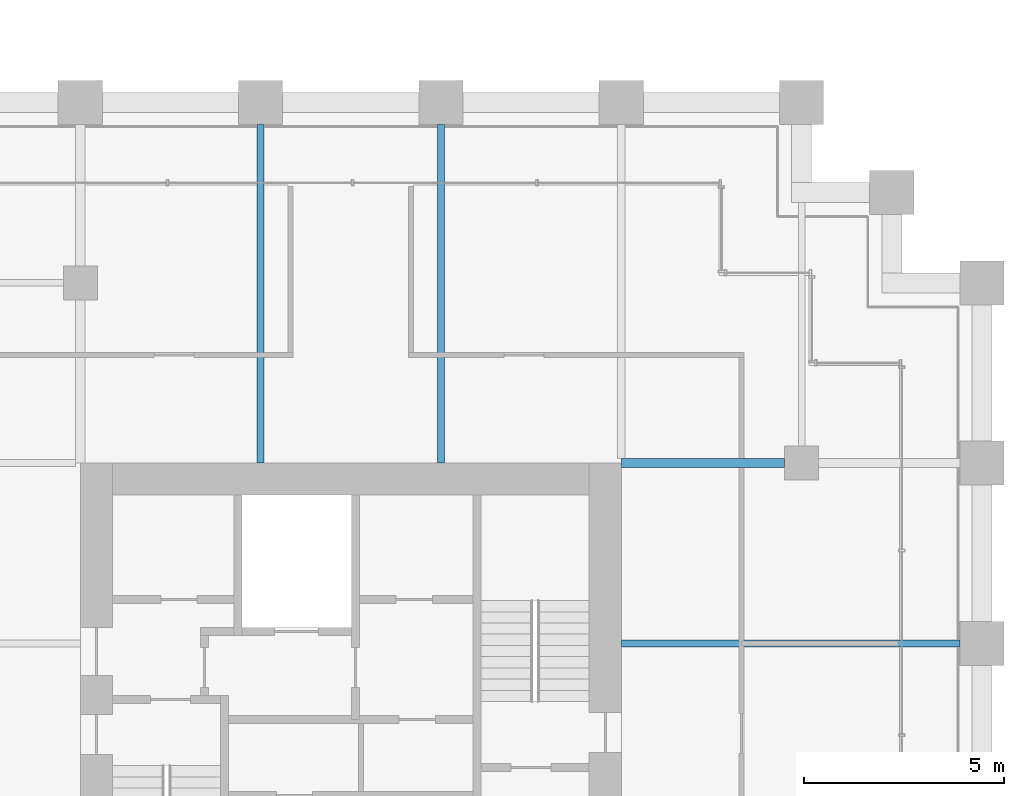
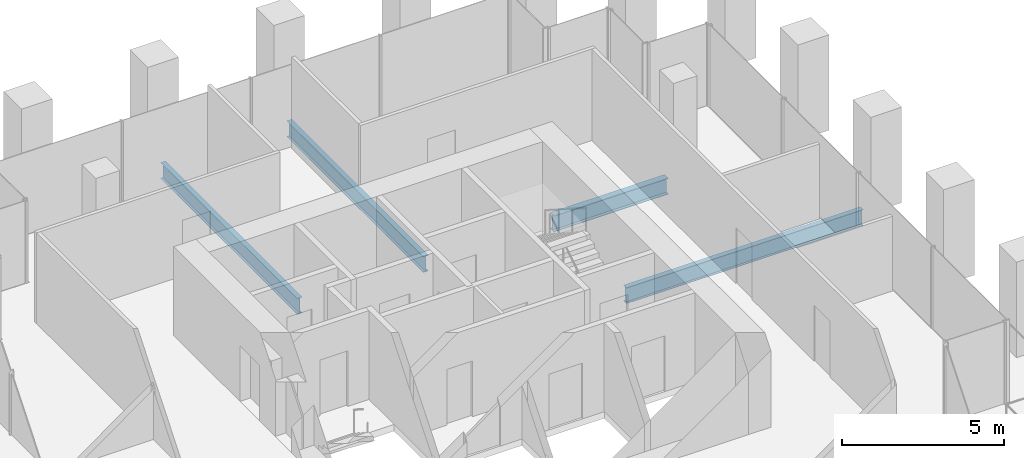
# One storey, part 43 of 56: 4 beams.
"""IFC4 building model written with IfcOpenShell, lengths in metres."""

from ifc_helpers import new_model, si_unit, direction, frame, origin, origin_2d, place, context, subcontext, project, spatial, i_section, extrude, material, material_profile, profile_set, type_object, element, save


model = new_model("IFC4")

# Units and contexts
model_context = context("Model", 3, precision=1e-05, world=origin(), true_north=direction((0.0, 1.0)))
body_context = subcontext(model_context, "Body", "Model", "MODEL_VIEW")
ifc_project = project(units=[si_unit("LENGTHUNIT", "METRE"), si_unit("AREAUNIT", "SQUARE_METRE"), si_unit("VOLUMEUNIT", "CUBIC_METRE"), si_unit("PLANEANGLEUNIT", "RADIAN"), si_unit("MASSUNIT", "GRAM", prefix="KILO")], contexts=[model_context])

# Site, building, storey
site_placement = place(None, origin())
site = spatial("IfcSite", under=ifc_project, at=site_placement, CompositionType="ELEMENT")
building_placement = place(site_placement, origin())
building = spatial("IfcBuilding", under=site, at=building_placement, Name="Altepetl Exchange Towers", CompositionType="ELEMENT")
storey_placement = place(building_placement, frame((0.0, 0.0, 79.800048828125)))
storey = spatial("IfcBuildingStorey", under=building, at=storey_placement, Name="L19", CompositionType="ELEMENT", Elevation=79.800048828125)

# Beams
ifc_material = material(Name="Steel S355", Category="steel")
ifc_material_profile_1 = material_profile(ifc_material, i_section(OverallWidth=0.177978515625, OverallDepth=0.59912109375, WebThickness=0.010009765625, FlangeThickness=0.0126953125, at=origin_2d()), Name="W24X55")
ifc_profile_set_1 = profile_set([ifc_material_profile_1], Name="Steel S355")
beam_type_1 = type_object("IfcBeamType", Name="Floor beam W24X55", PredefinedType="BEAM", material=ifc_profile_set_1)
for number, where, z_axis, x_axis, name in (
    (1, (108.0, 49.5, -0.449462890625), (0.0, 1.0, 0.0), (-1.0, 0.0, 0.0), "bm:B:L19:000"),
    (2, (112.5, 49.5, -0.449462890625), (0.0, 1.0, 0.0), (-1.0, 0.0, 0.0), "bm:B:L19:001"),
    (3, (117.0, 45.0, -0.449462890625), (1.0, 0.0, 0.0), (0.0, 1.0, 0.0), "bm:B:L19:007"),
):
    element("IfcBeam", number, at=place(storey_placement, frame(where, z_axis=z_axis, x_axis=x_axis)), inside=storey, type_object=beam_type_1, Name=name, PredefinedType="BEAM", context=body_context, shape_type="SweptSolid", body=[
        extrude(i_section(OverallWidth=0.177978515625, OverallDepth=0.59912109375, WebThickness=0.010009765625, FlangeThickness=0.0126953125, at=origin_2d()), origin(), (0.0, 0.0, 1.0), 8.449951171875),
    ])
ifc_material_profile_2 = material_profile(ifc_material, i_section(OverallWidth=0.22802734375, OverallDepth=0.60791015625, WebThickness=0.01123046875, FlangeThickness=0.017333984375, at=origin_2d()), Name="W24X76")
ifc_profile_set_2 = profile_set([ifc_material_profile_2], Name="Steel S355")
beam_type_2 = type_object("IfcBeamType", Name="Girder W24X76", PredefinedType="BEAM", material=ifc_profile_set_2)
beam_placement = place(storey_placement, frame((117.0, 49.5, -0.4541015625), z_axis=(1.0, 0.0, 0.0), x_axis=(0.0, 1.0, 0.0)))
element("IfcBeam", 4, at=beam_placement, inside=storey, type_object=beam_type_2, Name="gd:B:L19:000", PredefinedType="BEAM", context=body_context, shape_type="SweptSolid", body=[
    extrude(i_section(OverallWidth=0.22802734375, OverallDepth=0.60791015625, WebThickness=0.01123046875, FlangeThickness=0.017333984375, at=origin_2d()), origin(), (0.0, 0.0, 1.0), 4.074951171875),
])

save(model, "model.ifc")
